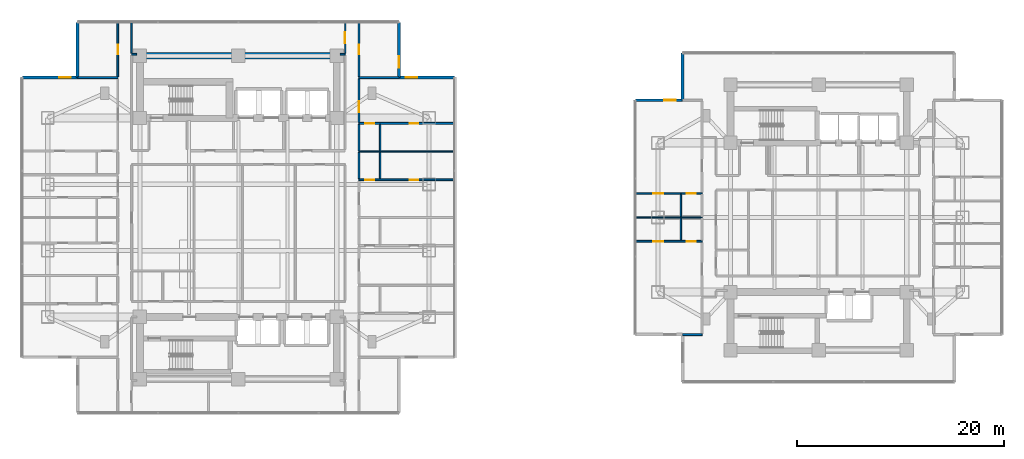
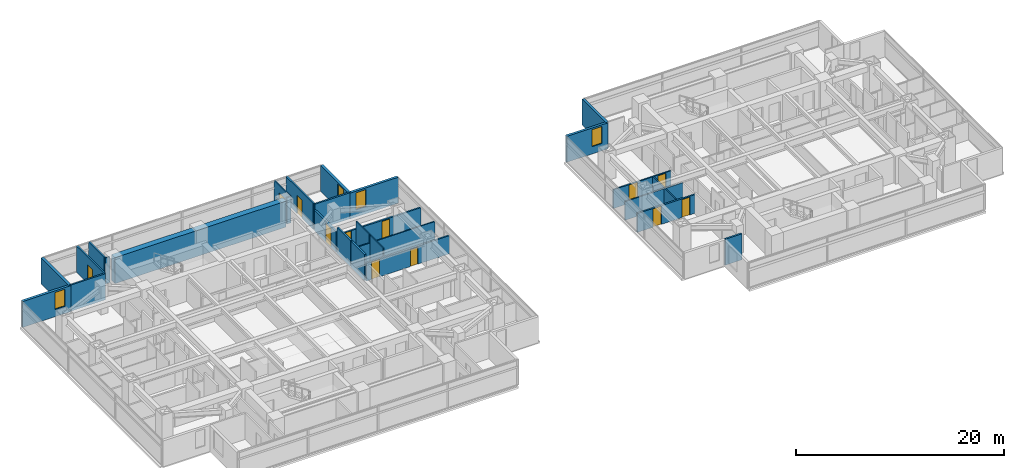
# One storey, part 16 of 27: 29 walls, 12 doors, 4 windows, 16 openings.
"""IFC4 building model written with IfcOpenShell, lengths in metres."""

from ifc_helpers import new_model, si_unit, direction, frame, frame_2d, origin, place, context, subcontext, project, spatial, rectangle, extrude, material, layer, layer_set, type_object, element, fill, save


model = new_model("IFC4")

# Units and contexts
model_context = context("Model", 3, precision=1e-05, world=origin(), true_north=direction((0.0, 1.0)))
body_context = subcontext(model_context, "Body", "Model", "MODEL_VIEW")
ifc_project = project(units=[si_unit("LENGTHUNIT", "METRE"), si_unit("AREAUNIT", "SQUARE_METRE"), si_unit("VOLUMEUNIT", "CUBIC_METRE"), si_unit("PLANEANGLEUNIT", "RADIAN"), si_unit("MASSUNIT", "GRAM", prefix="KILO")], contexts=[model_context])

# Site, building, storey
site_placement = place(None, origin())
site = spatial("IfcSite", under=ifc_project, at=site_placement, CompositionType="ELEMENT")
building_placement = place(site_placement, origin())
building = spatial("IfcBuilding", under=site, at=building_placement, Name="Mirazonda Arch Towers", CompositionType="ELEMENT")
storey_placement = place(building_placement, frame((0.0, 0.0, 55.39990234375)))
storey = spatial("IfcBuildingStorey", under=building, at=storey_placement, Name="L15", CompositionType="ELEMENT", Elevation=55.39990234375)

# Wall
ifc_material_1 = material(Name="Concrete C60/75", Category="concrete")
ifc_layer_1 = layer(ifc_material_1, 0.64990234375, Name="WALL-CORE-650")
ifc_layer_set_1 = layer_set([ifc_layer_1], Name="Concrete C60/75")
wall_type_1 = type_object("IfcWallType", Name="WALL-CORE-650", PredefinedType="SHEAR", material=ifc_layer_set_1)
wall_1_placement = place(storey_placement, frame((11.0, 43.60009765625, 0.0), z_axis=(0.0, 0.0, 1.0), x_axis=(1.0, 0.0, 0.0)))
element("IfcWall", 1, at=wall_1_placement, inside=storey, type_object=wall_type_1, Name="L15 T1N-N Core Shear Wall", PredefinedType="SHEAR", context=body_context, shape_type="SweptSolid", body=[
    extrude(rectangle(XDim=19.0, YDim=0.64990234375, at=frame_2d((9.5, 0.0))), origin(), (0.0, 0.0, 1.0), 3.06005859375),
])

# Wall, opening, window
ifc_material_2 = material(Name="Precast Concrete C40/50", Category="concrete")
ifc_layer_2 = layer(ifc_material_2, 0.280029296875, Name="WALL-EXT-WALL-280")
ifc_layer_set_2 = layer_set([ifc_layer_2], Name="Precast Concrete C40/50")
wall_type_2 = type_object("IfcWallType", Name="WALL-EXT-WALL-280", PredefinedType="SOLIDWALL", material=ifc_layer_set_2)
wall_2_placement = place(storey_placement, frame((36.02001953125, 41.498046875, 0.0), z_axis=(0.0, 0.0, 1.0), x_axis=(0.0, 1.0, 0.0)))
wall_2 = element("IfcWall", 2, at=wall_2_placement, inside=storey, type_object=wall_type_2, Name="L15 T1 Notched NE Corner Wall WL-L15-T1-CNE", PredefinedType="SOLIDWALL", context=body_context, shape_type="SweptSolid", body=[
    extrude(rectangle(XDim=5.33984375, YDim=0.280029296875, at=frame_2d((2.669921875, 0.0))), origin(), (0.0, 0.0, 1.0), 3.0400390625),
])
opening_1_placement = place(wall_2_placement, frame((0.949951171875, 0.0, 0.85009765625)))
opening_1 = element("IfcOpeningElement", 3, at=opening_1_placement, cuts=wall_2, Name="Opening WN-108", PredefinedType="OPENING", context=body_context, shape_type="SweptSolid", body=[
    extrude(rectangle(XDim=1.10009765625, YDim=2.0, at=frame_2d((0.550048828125, 1.0))), frame((0.0, 0.14990234375, 0.0), z_axis=(0.0, -1.0, 0.0), x_axis=(1.0, 0.0, 0.0)), (0.0, 0.0, 1.0), 0.300048828125),
])
ifc_material_3 = material(Name="Insulated Low-E Solar Glass", Category="glass")
window_type = type_object("IfcWindowType", Name="WIN-NOTCH-1100x2000", PartitioningType="SINGLE_PANEL", PredefinedType="WINDOW", material=ifc_material_3)
window_1_placement = place(opening_1_placement, origin())
window_1 = element("IfcWindow", 4, at=window_1_placement, inside=storey, type_object=window_type, Name="L15 Punched Facade Window WN-L15-T1-CNE", OverallHeight=2.0, OverallWidth=1.10009765625, PartitioningType="SINGLE_PANEL", PredefinedType="WINDOW", context=body_context, shape_type="SweptSolid", body=[
    extrude(rectangle(XDim=1.10009765625, YDim=2.0, at=frame_2d((0.550048828125, 1.0))), frame((0.0, 0.030029296875, 0.0), z_axis=(0.0, -1.0, 0.0), x_axis=(1.0, 0.0, 0.0)), (0.0, 0.0, 1.0), 0.06005859375),
])
fill(opening_1, window_1)

wall_3_placement = place(storey_placement, frame((4.97998046875, 41.498046875, 0.0), z_axis=(0.0, 0.0, 1.0), x_axis=(-1.0, 0.0, 0.0)))
wall_3 = element("IfcWall", 5, at=wall_3_placement, inside=storey, type_object=wall_type_2, Name="L15 T1 Corner Notch Return Wall WL-L15-T1-CNW1", PredefinedType="SOLIDWALL", context=body_context, shape_type="SweptSolid", body=[
    extrude(rectangle(XDim=5.340087890625, YDim=0.280029296875, at=frame_2d((2.669921875, 0.0))), origin(), (0.0, 0.0, 1.0), 3.0400390625),
])
opening_2_placement = place(wall_3_placement, frame((0.64990234375, 0.0, 0.85009765625)))
opening_2 = element("IfcOpeningElement", 6, at=opening_2_placement, cuts=wall_3, Name="Opening WN-108", PredefinedType="OPENING", context=body_context, shape_type="SweptSolid", body=[
    extrude(rectangle(XDim=1.10009765625, YDim=2.0, at=frame_2d((0.550048828125, 1.0))), frame((0.0, 0.14990234375, 0.0), z_axis=(0.0, -1.0, 0.0), x_axis=(1.0, 0.0, 0.0)), (0.0, 0.0, 1.0), 0.300048828125),
])
window_2_placement = place(opening_2_placement, origin())
window_2 = element("IfcWindow", 7, at=window_2_placement, inside=storey, type_object=window_type, Name="L15 Punched Facade Window WN-L15-T1-CNW1", OverallHeight=2.0, OverallWidth=1.10009765625, PartitioningType="SINGLE_PANEL", PredefinedType="WINDOW", context=body_context, shape_type="SweptSolid", body=[
    extrude(rectangle(XDim=1.10009765625, YDim=2.0, at=frame_2d((0.550048828125, 1.0))), frame((0.0, 0.030029296875, 0.0), z_axis=(0.0, -1.0, 0.0), x_axis=(1.0, 0.0, 0.0)), (0.0, 0.0, 1.0), 0.06005859375),
])
fill(opening_2, window_2)

# Wall
wall_4_placement = place(storey_placement, frame((4.97998046875, 46.837890625, 0.0), z_axis=(0.0, 0.0, 1.0), x_axis=(0.0, -1.0, 0.0)))
element("IfcWall", 8, at=wall_4_placement, inside=storey, type_object=wall_type_2, Name="L15 T1 Corner Notch Return Wall WL-L15-T1-CNW2", PredefinedType="SOLIDWALL", context=body_context, shape_type="SweptSolid", body=[
    extrude(rectangle(XDim=5.33984375, YDim=0.280029296875, at=frame_2d((2.669921875, 0.0))), origin(), (0.0, 0.0, 1.0), 3.0400390625),
])

# Wall, opening, window
wall_5_placement = place(storey_placement, frame((41.360107421875, 41.498046875, 0.0), z_axis=(0.0, 0.0, 1.0), x_axis=(-1.0, 0.0, 0.0)))
wall_5 = element("IfcWall", 9, at=wall_5_placement, inside=storey, type_object=wall_type_2, Name="L15 T1 Corner Notch Return Wall WL-L15-T1-CNE2", PredefinedType="SOLIDWALL", context=body_context, shape_type="SweptSolid", body=[
    extrude(rectangle(XDim=5.340087890625, YDim=0.280029296875, at=frame_2d((2.669921875, 0.0))), origin(), (0.0, 0.0, 1.0), 3.0400390625),
])
opening_3_placement = place(wall_5_placement, frame((3.590087890625, 0.0, 0.85009765625)))
opening_3 = element("IfcOpeningElement", 10, at=opening_3_placement, cuts=wall_5, Name="Opening WN-108", PredefinedType="OPENING", context=body_context, shape_type="SweptSolid", body=[
    extrude(rectangle(XDim=1.10009765625, YDim=2.0, at=frame_2d((0.550048828125, 1.0))), frame((0.0, 0.14990234375, 0.0), z_axis=(0.0, -1.0, 0.0), x_axis=(1.0, 0.0, 0.0)), (0.0, 0.0, 1.0), 0.300048828125),
])
window_3_placement = place(opening_3_placement, origin())
window_3 = element("IfcWindow", 11, at=window_3_placement, inside=storey, type_object=window_type, Name="L15 Punched Facade Window WN-L15-T1-CNE2", OverallHeight=2.0, OverallWidth=1.10009765625, PartitioningType="SINGLE_PANEL", PredefinedType="WINDOW", context=body_context, shape_type="SweptSolid", body=[
    extrude(rectangle(XDim=1.10009765625, YDim=2.0, at=frame_2d((0.550048828125, 1.0))), frame((0.0, 0.030029296875, 0.0), z_axis=(0.0, -1.0, 0.0), x_axis=(1.0, 0.0, 0.0)), (0.0, 0.0, 1.0), 0.06005859375),
])
fill(opening_3, window_3)

wall_6_placement = place(storey_placement, frame((63.367919921875, 39.313232421875, 0.0), z_axis=(0.0, 0.0, 1.0), x_axis=(-1.0, 0.0, 0.0)))
wall_6 = element("IfcWall", 12, at=wall_6_placement, inside=storey, type_object=wall_type_2, Name="L15 T2 Corner Notch Return Wall WL-L15-T2-CNW1", PredefinedType="SOLIDWALL", context=body_context, shape_type="SweptSolid", body=[
    extrude(rectangle(XDim=4.5458984375, YDim=0.280029296875, at=frame_2d((2.27294921875, 0.0))), origin(), (0.0, 0.0, 1.0), 3.0400390625),
])
opening_4_placement = place(wall_6_placement, frame((0.64990234375, 0.0, 0.85009765625)))
opening_4 = element("IfcOpeningElement", 13, at=opening_4_placement, cuts=wall_6, Name="Opening WN-108", PredefinedType="OPENING", context=body_context, shape_type="SweptSolid", body=[
    extrude(rectangle(XDim=1.10009765625, YDim=2.0, at=frame_2d((0.550048828125, 1.0))), frame((0.0, 0.14990234375, 0.0), z_axis=(0.0, -1.0, 0.0), x_axis=(1.0, 0.0, 0.0)), (0.0, 0.0, 1.0), 0.300048828125),
])
window_4_placement = place(opening_4_placement, origin())
window_4 = element("IfcWindow", 14, at=window_4_placement, inside=storey, type_object=window_type, Name="L15 Punched Facade Window WN-L15-T2-CNW1", OverallHeight=2.0, OverallWidth=1.10009765625, PartitioningType="SINGLE_PANEL", PredefinedType="WINDOW", context=body_context, shape_type="SweptSolid", body=[
    extrude(rectangle(XDim=1.10009765625, YDim=2.0, at=frame_2d((0.550048828125, 1.0))), frame((0.0, 0.030029296875, 0.0), z_axis=(0.0, -1.0, 0.0), x_axis=(1.0, 0.0, 0.0)), (0.0, 0.0, 1.0), 0.06005859375),
])
fill(opening_4, window_4)

# Wall
wall_7_placement = place(storey_placement, frame((63.367919921875, 43.859375, 0.0), z_axis=(0.0, 0.0, 1.0), x_axis=(0.0, -1.0, 0.0)))
element("IfcWall", 15, at=wall_7_placement, inside=storey, type_object=wall_type_2, Name="L15 T2 Corner Notch Return Wall WL-L15-T2-CNW2", PredefinedType="SOLIDWALL", context=body_context, shape_type="SweptSolid", body=[
    extrude(rectangle(XDim=4.546142578125, YDim=0.280029296875, at=frame_2d((2.27294921875, 0.0))), origin(), (0.0, 0.0, 1.0), 3.0400390625),
])

# Wall, openings, doors
ifc_material_4 = material(Name="Fire-Rated Gypsum Stud Partition")
ifc_layer_3 = layer(ifc_material_4, 0.14990234375, Name="WALL-PART-CORR-150")
ifc_layer_set_3 = layer_set([ifc_layer_3], Name="Fire-Rated Gypsum Stud Partition")
wall_type_3 = type_object("IfcWallType", Name="WALL-PART-CORR-150", PredefinedType="PARTITIONING", material=ifc_layer_set_3)
wall_8_placement = place(storey_placement, frame((58.822021484375, 30.300048828125, 0.0), z_axis=(0.0, 0.0, 1.0), x_axis=(1.0, 0.0, 0.0)))
wall_8 = element("IfcWall", 16, at=wall_8_placement, inside=storey, type_object=wall_type_3, Name="L15 Interior Partition 038", PredefinedType="PARTITIONING", context=body_context, shape_type="SweptSolid", body=[
    extrude(rectangle(XDim=6.427978515625, YDim=0.14990234375, at=frame_2d((3.2138671875, 0.0))), origin(), (0.0, 0.0, 1.0), 2.196044921875),
])
opening_5_placement = place(wall_8_placement, frame((1.739013671875, 0.0, 0.0)))
opening_5 = element("IfcOpeningElement", 17, at=opening_5_placement, cuts=wall_8, Name="Opening DR-104", PredefinedType="OPENING", context=body_context, shape_type="SweptSolid", body=[
    extrude(rectangle(XDim=0.949951171875, YDim=2.14990234375, at=frame_2d((0.47509765625, 1.074951171875))), frame((0.0, 0.0849609375, 0.0), z_axis=(0.0, -1.0, 0.0), x_axis=(1.0, 0.0, 0.0)), (0.0, 0.0, 1.0), 0.169921875),
])
opening_6_placement = place(wall_8_placement, frame((4.93798828125, 0.0, 0.0)))
opening_6 = element("IfcOpeningElement", 18, at=opening_6_placement, cuts=wall_8, Name="Opening DR-120", PredefinedType="OPENING", context=body_context, shape_type="SweptSolid", body=[
    extrude(rectangle(XDim=0.89990234375, YDim=2.10009765625, at=frame_2d((0.449951171875, 1.050048828125))), frame((0.0, 0.0849609375, 0.0), z_axis=(0.0, -1.0, 0.0), x_axis=(1.0, 0.0, 0.0)), (0.0, 0.0, 1.0), 0.169921875),
])
ifc_material_5 = material(Name="Architectural Brushed Steel S355", Category="steel")
door_type_1 = type_object("IfcDoorType", Name="DOOR-ROOM-950", OperationType="NOTDEFINED", PredefinedType="DOOR", material=ifc_material_5)
door_1_placement = place(opening_5_placement, origin())
door_1 = element("IfcDoor", 19, at=door_1_placement, inside=storey, type_object=door_type_1, Name="L15 Studio 2 Galley Kitchen Door", OperationType="SINGLE_SWING_LEFT", OverallHeight=2.14990234375, OverallWidth=0.949951171875, PredefinedType="DOOR", context=body_context, shape_type="SweptSolid", body=[
    extrude(rectangle(XDim=0.949951171875, YDim=2.14990234375, at=frame_2d((0.47509765625, 1.074951171875))), frame((0.0, 0.02490234375, 0.0), z_axis=(0.0, -1.0, 0.0), x_axis=(1.0, 0.0, 0.0)), (0.0, 0.0, 1.0), 0.050048828125),
])
fill(opening_5, door_1)
door_type_2 = type_object("IfcDoorType", Name="DOOR-WC-900", OperationType="NOTDEFINED", PredefinedType="DOOR", material=ifc_material_5)
door_2_placement = place(opening_6_placement, origin())
door_2 = element("IfcDoor", 20, at=door_2_placement, inside=storey, type_object=door_type_2, Name="L15 Studio 2 Bathroom Door", OperationType="SINGLE_SWING_RIGHT", OverallHeight=2.10009765625, OverallWidth=0.89990234375, PredefinedType="DOOR", context=body_context, shape_type="SweptSolid", body=[
    extrude(rectangle(XDim=0.89990234375, YDim=2.10009765625, at=frame_2d((0.449951171875, 1.050048828125))), frame((0.0, 0.02490234375, 0.0), z_axis=(0.0, -1.0, 0.0), x_axis=(1.0, 0.0, 0.0)), (0.0, 0.0, 1.0), 0.050048828125),
])
fill(opening_6, door_2)

# Walls
for number, where, z_axis, x_axis, name in (
    (21, (10.199951171875, 43.75, 0.0), (0.0, 0.0, 1.0), (1.0, 0.0, 0.0), "L15 Interior Partition 063"),
    (22, (30.320068359375, 43.75, 0.0), (0.0, 0.0, 1.0), (1.0, 0.0, 0.0), "L15 Interior Partition 064"),
):
    element("IfcWall", number, at=place(storey_placement, frame(where, z_axis=z_axis, x_axis=x_axis)), inside=storey, type_object=wall_type_3, Name=name, PredefinedType="PARTITIONING", context=body_context, shape_type="SweptSolid", body=[
        extrude(rectangle(XDim=0.47998046875, YDim=0.14990234375, at=frame_2d((0.239990234375, 0.0))), origin(), (0.0, 0.0, 1.0), 3.06005859375),
    ])
wall_9_placement = place(storey_placement, frame((10.199951171875, 43.8349609375, 0.0), z_axis=(0.0, 0.0, 1.0), x_axis=(0.0, 1.0, 0.0)))
element("IfcWall", 23, at=wall_9_placement, inside=storey, type_object=wall_type_3, Name="L15 Interior Partition 084", PredefinedType="PARTITIONING", context=body_context, shape_type="SweptSolid", body=[
    extrude(rectangle(XDim=3.0029296875, YDim=0.14990234375, at=frame_2d((1.50146484375, 0.0))), origin(), (0.0, 0.0, 1.0), 3.06005859375),
])

# Wall, opening, door
wall_10_placement = place(storey_placement, frame((30.800048828125, 43.8349609375, 0.0), z_axis=(0.0, 0.0, 1.0), x_axis=(0.0, 1.0, 0.0)))
wall_10 = element("IfcWall", 24, at=wall_10_placement, inside=storey, type_object=wall_type_3, Name="L15 Interior Partition 110", PredefinedType="PARTITIONING", context=body_context, shape_type="SweptSolid", body=[
    extrude(rectangle(XDim=3.0029296875, YDim=0.14990234375, at=frame_2d((1.50146484375, 0.0))), origin(), (0.0, 0.0, 1.0), 3.06005859375),
])
opening_7_placement = place(wall_10_placement, frame((0.9765625, 0.0, 0.0)))
opening_7 = element("IfcOpeningElement", 25, at=opening_7_placement, cuts=wall_10, Name="Opening DR-121", PredefinedType="OPENING", context=body_context, shape_type="SweptSolid", body=[
    extrude(rectangle(XDim=1.050048828125, YDim=2.199951171875, at=frame_2d((0.52490234375, 1.10009765625))), frame((0.0, 0.0849609375, 0.0), z_axis=(0.0, -1.0, 0.0), x_axis=(1.0, 0.0, 0.0)), (0.0, 0.0, 1.0), 0.169921875),
])
door_type_3 = type_object("IfcDoorType", Name="DOOR-SUITE-FD60-1050", OperationType="NOTDEFINED", PredefinedType="DOOR", material=ifc_material_5)
door_3_placement = place(opening_7_placement, origin())
door_3 = element("IfcDoor", 26, at=door_3_placement, inside=storey, type_object=door_type_3, Name="L15 North Reading Salon Suite Door", OperationType="SINGLE_SWING_RIGHT", OverallHeight=2.199951171875, OverallWidth=1.050048828125, PredefinedType="DOOR", context=body_context, shape_type="SweptSolid", body=[
    extrude(rectangle(XDim=1.050048828125, YDim=2.199951171875, at=frame_2d((0.52490234375, 1.10009765625))), frame((0.0, 0.02490234375, 0.0), z_axis=(0.0, -1.0, 0.0), x_axis=(1.0, 0.0, 0.0)), (0.0, 0.0, 1.0), 0.050048828125),
])
fill(opening_7, door_3)

# Wall
ifc_material_6 = material(Name="Fire-Rated Gypsum Twin-Stud Assembly")
ifc_layer_4 = layer(ifc_material_6, 0.179931640625, Name="WALL-PART-DEMISE-180")
ifc_layer_set_4 = layer_set([ifc_layer_4], Name="Fire-Rated Gypsum Twin-Stud Assembly")
wall_type_4 = type_object("IfcWallType", Name="WALL-PART-DEMISE-180", PredefinedType="PARTITIONING", material=ifc_layer_set_4)
wall_11_placement = place(storey_placement, frame((63.387939453125, 16.68701171875, 0.0), z_axis=(0.0, 0.0, 1.0), x_axis=(1.0, 0.0, 0.0)))
element("IfcWall", 27, at=wall_11_placement, inside=storey, type_object=wall_type_4, Name="L15 Interior Partition 009", PredefinedType="PARTITIONING", context=body_context, shape_type="SweptSolid", body=[
    extrude(rectangle(XDim=1.862060546875, YDim=0.179931640625, at=frame_2d((0.93115234375, 0.0))), origin(), (0.0, 0.0, 1.0), 3.06005859375),
])

# Wall, openings, doors
wall_12_placement = place(storey_placement, frame((58.822021484375, 25.699951171875, 0.0), z_axis=(0.0, 0.0, 1.0), x_axis=(1.0, 0.0, 0.0)))
wall_12 = element("IfcWall", 28, at=wall_12_placement, inside=storey, type_object=wall_type_4, Name="L15 Interior Partition 031", PredefinedType="PARTITIONING", context=body_context, shape_type="SweptSolid", body=[
    extrude(rectangle(XDim=6.427978515625, YDim=0.179931640625, at=frame_2d((3.2138671875, 0.0))), origin(), (0.0, 0.0, 1.0), 2.196044921875),
])
opening_8_placement = place(wall_12_placement, frame((1.739013671875, 0.0, 0.0)))
opening_8 = element("IfcOpeningElement", 29, at=opening_8_placement, cuts=wall_12, Name="Opening DR-104", PredefinedType="OPENING", context=body_context, shape_type="SweptSolid", body=[
    extrude(rectangle(XDim=0.949951171875, YDim=2.14990234375, at=frame_2d((0.47509765625, 1.074951171875))), frame((0.0, 0.099853515625, 0.0), z_axis=(0.0, -1.0, 0.0), x_axis=(1.0, 0.0, 0.0)), (0.0, 0.0, 1.0), 0.199951171875),
])
opening_9_placement = place(wall_12_placement, frame((4.93798828125, 0.0, 0.0)))
opening_9 = element("IfcOpeningElement", 30, at=opening_9_placement, cuts=wall_12, Name="Opening DR-120", PredefinedType="OPENING", context=body_context, shape_type="SweptSolid", body=[
    extrude(rectangle(XDim=0.89990234375, YDim=2.10009765625, at=frame_2d((0.449951171875, 1.050048828125))), frame((0.0, 0.099853515625, 0.0), z_axis=(0.0, -1.0, 0.0), x_axis=(1.0, 0.0, 0.0)), (0.0, 0.0, 1.0), 0.199951171875),
])
door_4_placement = place(opening_8_placement, origin())
door_4 = element("IfcDoor", 31, at=door_4_placement, inside=storey, type_object=door_type_1, Name="L15 Studio 1 Galley Kitchen Door", OperationType="SINGLE_SWING_RIGHT", OverallHeight=2.14990234375, OverallWidth=0.949951171875, PredefinedType="DOOR", context=body_context, shape_type="SweptSolid", body=[
    extrude(rectangle(XDim=0.949951171875, YDim=2.14990234375, at=frame_2d((0.47509765625, 1.074951171875))), frame((0.0, 0.02490234375, 0.0), z_axis=(0.0, -1.0, 0.0), x_axis=(1.0, 0.0, 0.0)), (0.0, 0.0, 1.0), 0.050048828125),
])
fill(opening_8, door_4)
door_5_placement = place(opening_9_placement, origin())
door_5 = element("IfcDoor", 32, at=door_5_placement, inside=storey, type_object=door_type_2, Name="L15 Studio 1 Bathroom Door", OperationType="SINGLE_SWING_LEFT", OverallHeight=2.10009765625, OverallWidth=0.89990234375, PredefinedType="DOOR", context=body_context, shape_type="SweptSolid", body=[
    extrude(rectangle(XDim=0.89990234375, YDim=2.10009765625, at=frame_2d((0.449951171875, 1.050048828125))), frame((0.0, 0.02490234375, 0.0), z_axis=(0.0, -1.0, 0.0), x_axis=(1.0, 0.0, 0.0)), (0.0, 0.0, 1.0), 0.050048828125),
])
fill(opening_9, door_5)

wall_13_placement = place(storey_placement, frame((32.139892578125, 31.636962890625, 0.0), z_axis=(0.0, 0.0, 1.0), x_axis=(1.0, 0.0, 0.0)))
wall_13 = element("IfcWall", 33, at=wall_13_placement, inside=storey, type_object=wall_type_4, Name="L15 Interior Partition 040", PredefinedType="PARTITIONING", context=body_context, shape_type="SweptSolid", body=[
    extrude(rectangle(XDim=9.22021484375, YDim=0.179931640625, at=frame_2d((4.610107421875, 0.0))), origin(), (0.0, 0.0, 1.0), 2.125),
])
opening_10_placement = place(wall_13_placement, frame((4.885009765625, 0.0, 0.0)))
opening_10 = element("IfcOpeningElement", 34, at=opening_10_placement, cuts=wall_13, Name="Opening DR-128", PredefinedType="OPENING", context=body_context, shape_type="SweptSolid", body=[
    extrude(rectangle(XDim=0.85009765625, YDim=2.010009765625, at=frame_2d((0.425048828125, 1.0048828125))), frame((0.0, 0.099853515625, 0.0), z_axis=(0.0, -1.0, 0.0), x_axis=(1.0, 0.0, 0.0)), (0.0, 0.0, 1.0), 0.199951171875),
])
opening_11_placement = place(wall_13_placement, frame((0.590087890625, 0.0, 0.0)))
opening_11 = element("IfcOpeningElement", 35, at=opening_11_placement, cuts=wall_13, Name="Opening DR-120", PredefinedType="OPENING", context=body_context, shape_type="SweptSolid", body=[
    extrude(rectangle(XDim=0.89990234375, YDim=2.10009765625, at=frame_2d((0.449951171875, 1.050048828125))), frame((0.0, 0.099853515625, 0.0), z_axis=(0.0, -1.0, 0.0), x_axis=(1.0, 0.0, 0.0)), (0.0, 0.0, 1.0), 0.199951171875),
])
door_type_4 = type_object("IfcDoorType", Name="DOOR-RISER-FD60-850", OperationType="NOTDEFINED", PredefinedType="DOOR", material=ifc_material_5)
door_6_placement = place(opening_10_placement, origin())
door_6 = element("IfcDoor", 36, at=door_6_placement, inside=storey, type_object=door_type_4, Name="L15 Guestroom Study 3 Door", OperationType="SINGLE_SWING_RIGHT", OverallHeight=2.010009765625, OverallWidth=0.85009765625, PredefinedType="DOOR", context=body_context, shape_type="SweptSolid", body=[
    extrude(rectangle(XDim=0.85009765625, YDim=2.010009765625, at=frame_2d((0.425048828125, 1.0048828125))), frame((0.0, 0.02490234375, 0.0), z_axis=(0.0, -1.0, 0.0), x_axis=(1.0, 0.0, 0.0)), (0.0, 0.0, 1.0), 0.050048828125),
])
fill(opening_10, door_6)
door_7_placement = place(opening_11_placement, origin())
door_7 = element("IfcDoor", 37, at=door_7_placement, inside=storey, type_object=door_type_2, Name="L15 En-Suite Bathroom 3 Door", OperationType="SINGLE_SWING_LEFT", OverallHeight=2.10009765625, OverallWidth=0.89990234375, PredefinedType="DOOR", context=body_context, shape_type="SweptSolid", body=[
    extrude(rectangle(XDim=0.89990234375, YDim=2.10009765625, at=frame_2d((0.449951171875, 1.050048828125))), frame((0.0, 0.02490234375, 0.0), z_axis=(0.0, -1.0, 0.0), x_axis=(1.0, 0.0, 0.0)), (0.0, 0.0, 1.0), 0.050048828125),
])
fill(opening_11, door_7)

wall_14_placement = place(storey_placement, frame((32.139892578125, 37.076904296875, 0.0), z_axis=(0.0, 0.0, 1.0), x_axis=(1.0, 0.0, 0.0)))
wall_14 = element("IfcWall", 38, at=wall_14_placement, inside=storey, type_object=wall_type_4, Name="L15 Interior Partition 053", PredefinedType="PARTITIONING", context=body_context, shape_type="SweptSolid", body=[
    extrude(rectangle(XDim=9.22021484375, YDim=0.179931640625, at=frame_2d((4.610107421875, 0.0))), origin(), (0.0, 0.0, 1.0), 2.125),
])
opening_12_placement = place(wall_14_placement, frame((4.885009765625, 0.0, 0.0)))
opening_12 = element("IfcOpeningElement", 39, at=opening_12_placement, cuts=wall_14, Name="Opening DR-128", PredefinedType="OPENING", context=body_context, shape_type="SweptSolid", body=[
    extrude(rectangle(XDim=0.85009765625, YDim=2.010009765625, at=frame_2d((0.425048828125, 1.0048828125))), frame((0.0, 0.099853515625, 0.0), z_axis=(0.0, -1.0, 0.0), x_axis=(1.0, 0.0, 0.0)), (0.0, 0.0, 1.0), 0.199951171875),
])
opening_13_placement = place(wall_14_placement, frame((0.590087890625, 0.0, 0.0)))
opening_13 = element("IfcOpeningElement", 40, at=opening_13_placement, cuts=wall_14, Name="Opening DR-120", PredefinedType="OPENING", context=body_context, shape_type="SweptSolid", body=[
    extrude(rectangle(XDim=0.89990234375, YDim=2.10009765625, at=frame_2d((0.449951171875, 1.050048828125))), frame((0.0, 0.099853515625, 0.0), z_axis=(0.0, -1.0, 0.0), x_axis=(1.0, 0.0, 0.0)), (0.0, 0.0, 1.0), 0.199951171875),
])
door_8_placement = place(opening_12_placement, origin())
door_8 = element("IfcDoor", 41, at=door_8_placement, inside=storey, type_object=door_type_4, Name="L15 Guestroom Study 4 Door", OperationType="SINGLE_SWING_LEFT", OverallHeight=2.010009765625, OverallWidth=0.85009765625, PredefinedType="DOOR", context=body_context, shape_type="SweptSolid", body=[
    extrude(rectangle(XDim=0.85009765625, YDim=2.010009765625, at=frame_2d((0.425048828125, 1.0048828125))), frame((0.0, 0.02490234375, 0.0), z_axis=(0.0, -1.0, 0.0), x_axis=(1.0, 0.0, 0.0)), (0.0, 0.0, 1.0), 0.050048828125),
])
fill(opening_12, door_8)
door_9_placement = place(opening_13_placement, origin())
door_9 = element("IfcDoor", 42, at=door_9_placement, inside=storey, type_object=door_type_2, Name="L15 En-Suite Bathroom 4 Door", OperationType="SINGLE_SWING_RIGHT", OverallHeight=2.10009765625, OverallWidth=0.89990234375, PredefinedType="DOOR", context=body_context, shape_type="SweptSolid", body=[
    extrude(rectangle(XDim=0.89990234375, YDim=2.10009765625, at=frame_2d((0.449951171875, 1.050048828125))), frame((0.0, 0.02490234375, 0.0), z_axis=(0.0, -1.0, 0.0), x_axis=(1.0, 0.0, 0.0)), (0.0, 0.0, 1.0), 0.050048828125),
])
fill(opening_13, door_9)

# Walls
for number, where, z_axis, x_axis, name in (
    (43, (5.0, 41.498046875, 0.0), (0.0, 0.0, 1.0), (1.0, 0.0, 0.0), "L15 Interior Partition 061"),
    (44, (32.139892578125, 41.498046875, 0.0), (0.0, 0.0, 1.0), (1.0, 0.0, 0.0), "L15 Interior Partition 062"),
):
    element("IfcWall", number, at=place(storey_placement, frame(where, z_axis=z_axis, x_axis=x_axis)), inside=storey, type_object=wall_type_4, Name=name, PredefinedType="PARTITIONING", context=body_context, shape_type="SweptSolid", body=[
        extrude(rectangle(XDim=3.860107421875, YDim=0.179931640625, at=frame_2d((1.93017578125, 0.0))), origin(), (0.0, 0.0, 1.0), 3.06005859375),
    ])

# Wall, opening, door
wall_15_placement = place(storey_placement, frame((8.860107421875, 41.597900390625, 0.0), z_axis=(0.0, 0.0, 1.0), x_axis=(0.0, 1.0, 0.0)))
wall_15 = element("IfcWall", 45, at=wall_15_placement, inside=storey, type_object=wall_type_4, Name="L15 Interior Partition 078", PredefinedType="PARTITIONING", context=body_context, shape_type="SweptSolid", body=[
    extrude(rectangle(XDim=5.239990234375, YDim=0.179931640625, at=frame_2d((2.6201171875, 0.0))), origin(), (0.0, 0.0, 1.0), 3.06005859375),
])
opening_14_placement = place(wall_15_placement, frame((2.14501953125, 0.0, 0.0)))
opening_14 = element("IfcOpeningElement", 46, at=opening_14_placement, cuts=wall_15, Name="Opening DR-104", PredefinedType="OPENING", context=body_context, shape_type="SweptSolid", body=[
    extrude(rectangle(XDim=0.949951171875, YDim=2.14990234375, at=frame_2d((0.47509765625, 1.074951171875))), frame((0.0, 0.099853515625, 0.0), z_axis=(0.0, -1.0, 0.0), x_axis=(1.0, 0.0, 0.0)), (0.0, 0.0, 1.0), 0.199951171875),
])
door_10_placement = place(opening_14_placement, origin())
door_10 = element("IfcDoor", 47, at=door_10_placement, inside=storey, type_object=door_type_1, Name="L15 North Reading Salon Alcove West Door", OperationType="SINGLE_SWING_LEFT", OverallHeight=2.14990234375, OverallWidth=0.949951171875, PredefinedType="DOOR", context=body_context, shape_type="SweptSolid", body=[
    extrude(rectangle(XDim=0.949951171875, YDim=2.14990234375, at=frame_2d((0.47509765625, 1.074951171875))), frame((0.0, 0.02490234375, 0.0), z_axis=(0.0, -1.0, 0.0), x_axis=(1.0, 0.0, 0.0)), (0.0, 0.0, 1.0), 0.050048828125),
])
fill(opening_14, door_10)

# Walls
wall_16_placement = place(storey_placement, frame((32.139892578125, 31.737060546875, 0.0), z_axis=(0.0, 0.0, 1.0), x_axis=(0.0, 1.0, 0.0)))
element("IfcWall", 48, at=wall_16_placement, inside=storey, type_object=wall_type_4, Name="L15 Interior Partition 117", PredefinedType="PARTITIONING", context=body_context, shape_type="SweptSolid", body=[
    extrude(rectangle(XDim=2.54736328125, YDim=0.179931640625, at=frame_2d((1.273681640625, 0.0))), origin(), (0.0, 0.0, 1.0), 3.06005859375),
])
wall_17_placement = place(storey_placement, frame((32.139892578125, 34.429443359375, 0.0), z_axis=(0.0, 0.0, 1.0), x_axis=(0.0, 1.0, 0.0)))
element("IfcWall", 49, at=wall_17_placement, inside=storey, type_object=wall_type_4, Name="L15 Interior Partition 118", PredefinedType="PARTITIONING", context=body_context, shape_type="SweptSolid", body=[
    extrude(rectangle(XDim=2.547607421875, YDim=0.179931640625, at=frame_2d((1.27392578125, 0.0))), origin(), (0.0, 0.0, 1.0), 3.06005859375),
])

# Wall, opening, door
wall_18_placement = place(storey_placement, frame((32.139892578125, 37.177001953125, 0.0), z_axis=(0.0, 0.0, 1.0), x_axis=(0.0, 1.0, 0.0)))
wall_18 = element("IfcWall", 50, at=wall_18_placement, inside=storey, type_object=wall_type_4, Name="L15 Interior Partition 119", PredefinedType="PARTITIONING", context=body_context, shape_type="SweptSolid", body=[
    extrude(rectangle(XDim=4.220947265625, YDim=0.179931640625, at=frame_2d((2.1103515625, 0.0))), origin(), (0.0, 0.0, 1.0), 2.43603515625),
])
opening_15_placement = place(wall_18_placement, frame((0.985595703125, 0.0, 0.0)))
opening_15 = element("IfcOpeningElement", 51, at=opening_15_placement, cuts=wall_18, Name="Opening DR-121", PredefinedType="OPENING", context=body_context, shape_type="SweptSolid", body=[
    extrude(rectangle(XDim=1.050048828125, YDim=2.199951171875, at=frame_2d((0.52490234375, 1.10009765625))), frame((0.0, 0.099853515625, 0.0), z_axis=(0.0, -1.0, 0.0), x_axis=(1.0, 0.0, 0.0)), (0.0, 0.0, 1.0), 0.199951171875),
])
door_11_placement = place(opening_15_placement, origin())
door_11 = element("IfcDoor", 52, at=door_11_placement, inside=storey, type_object=door_type_3, Name="L15 Twin Hotel Guestroom 4 Door", OperationType="SINGLE_SWING_RIGHT", OverallHeight=2.199951171875, OverallWidth=1.050048828125, PredefinedType="DOOR", context=body_context, shape_type="SweptSolid", body=[
    extrude(rectangle(XDim=1.050048828125, YDim=2.199951171875, at=frame_2d((0.52490234375, 1.10009765625))), frame((0.0, 0.02490234375, 0.0), z_axis=(0.0, -1.0, 0.0), x_axis=(1.0, 0.0, 0.0)), (0.0, 0.0, 1.0), 0.050048828125),
])
fill(opening_15, door_11)

wall_19_placement = place(storey_placement, frame((32.139892578125, 41.597900390625, 0.0), z_axis=(0.0, 0.0, 1.0), x_axis=(0.0, 1.0, 0.0)))
wall_19 = element("IfcWall", 53, at=wall_19_placement, inside=storey, type_object=wall_type_4, Name="L15 Interior Partition 120", PredefinedType="PARTITIONING", context=body_context, shape_type="SweptSolid", body=[
    extrude(rectangle(XDim=5.239990234375, YDim=0.179931640625, at=frame_2d((2.6201171875, 0.0))), origin(), (0.0, 0.0, 1.0), 3.06005859375),
])
opening_16_placement = place(wall_19_placement, frame((2.14501953125, 0.0, 0.0)))
opening_16 = element("IfcOpeningElement", 54, at=opening_16_placement, cuts=wall_19, Name="Opening DR-104", PredefinedType="OPENING", context=body_context, shape_type="SweptSolid", body=[
    extrude(rectangle(XDim=0.949951171875, YDim=2.14990234375, at=frame_2d((0.47509765625, 1.074951171875))), frame((0.0, 0.099853515625, 0.0), z_axis=(0.0, -1.0, 0.0), x_axis=(1.0, 0.0, 0.0)), (0.0, 0.0, 1.0), 0.199951171875),
])
door_12_placement = place(opening_16_placement, origin())
door_12 = element("IfcDoor", 55, at=door_12_placement, inside=storey, type_object=door_type_1, Name="L15 North Reading Salon Alcove East Door", OperationType="SINGLE_SWING_RIGHT", OverallHeight=2.14990234375, OverallWidth=0.949951171875, PredefinedType="DOOR", context=body_context, shape_type="SweptSolid", body=[
    extrude(rectangle(XDim=0.949951171875, YDim=2.14990234375, at=frame_2d((0.47509765625, 1.074951171875))), frame((0.0, 0.02490234375, 0.0), z_axis=(0.0, -1.0, 0.0), x_axis=(1.0, 0.0, 0.0)), (0.0, 0.0, 1.0), 0.050048828125),
])
fill(opening_16, door_12)

# Walls
ifc_material_7 = material(Name="Acoustic Fire-Rated Gypsum Partition")
ifc_layer_5 = layer(ifc_material_7, 0.125, Name="WALL-PART-UNIT-125")
ifc_layer_set_5 = layer_set([ifc_layer_5], Name="Acoustic Fire-Rated Gypsum Partition")
wall_type_5 = type_object("IfcWallType", Name="WALL-PART-UNIT-125", PredefinedType="PARTITIONING", material=ifc_layer_set_5)
wall_20_placement = place(storey_placement, frame((58.822021484375, 28.0, 0.0), z_axis=(0.0, 0.0, 1.0), x_axis=(1.0, 0.0, 0.0)))
element("IfcWall", 56, at=wall_20_placement, inside=storey, type_object=wall_type_5, Name="L15 Interior Partition 035", PredefinedType="PARTITIONING", context=body_context, shape_type="SweptSolid", body=[
    extrude(rectangle(XDim=6.427978515625, YDim=0.125, at=frame_2d((3.2138671875, 0.0))), origin(), (0.0, 0.0, 1.0), 2.196044921875),
])
wall_21_placement = place(storey_placement, frame((32.139892578125, 34.35693359375, 0.0), z_axis=(0.0, 0.0, 1.0), x_axis=(1.0, 0.0, 0.0)))
element("IfcWall", 57, at=wall_21_placement, inside=storey, type_object=wall_type_5, Name="L15 Interior Partition 047", PredefinedType="PARTITIONING", context=body_context, shape_type="SweptSolid", body=[
    extrude(rectangle(XDim=9.22021484375, YDim=0.125, at=frame_2d((4.610107421875, 0.0))), origin(), (0.0, 0.0, 1.0), 2.125),
])
wall_22_placement = place(storey_placement, frame((34.179931640625, 31.737060546875, 0.0), z_axis=(0.0, 0.0, 1.0), x_axis=(0.0, 1.0, 0.0)))
element("IfcWall", 58, at=wall_22_placement, inside=storey, type_object=wall_type_5, Name="L15 Interior Partition 123", PredefinedType="PARTITIONING", context=body_context, shape_type="SweptSolid", body=[
    extrude(rectangle(XDim=2.54736328125, YDim=0.125, at=frame_2d((1.273681640625, 0.0))), origin(), (0.0, 0.0, 1.0), 3.06005859375),
])
wall_23_placement = place(storey_placement, frame((34.179931640625, 34.429443359375, 0.0), z_axis=(0.0, 0.0, 1.0), x_axis=(0.0, 1.0, 0.0)))
element("IfcWall", 59, at=wall_23_placement, inside=storey, type_object=wall_type_5, Name="L15 Interior Partition 124", PredefinedType="PARTITIONING", context=body_context, shape_type="SweptSolid", body=[
    extrude(rectangle(XDim=2.547607421875, YDim=0.125, at=frame_2d((1.27392578125, 0.0))), origin(), (0.0, 0.0, 1.0), 3.06005859375),
])
wall_24_placement = place(storey_placement, frame((63.2099609375, 25.800048828125, 0.0), z_axis=(0.0, 0.0, 1.0), x_axis=(0.0, 1.0, 0.0)))
element("IfcWall", 60, at=wall_24_placement, inside=storey, type_object=wall_type_5, Name="L15 Interior Partition 125", PredefinedType="PARTITIONING", context=body_context, shape_type="SweptSolid", body=[
    extrude(rectangle(XDim=2.12744140625, YDim=0.125, at=frame_2d((1.063720703125, 0.0))), origin(), (0.0, 0.0, 1.0), 2.279052734375),
])
wall_25_placement = place(storey_placement, frame((63.2099609375, 28.072509765625, 0.0), z_axis=(0.0, 0.0, 1.0), x_axis=(0.0, 1.0, 0.0)))
element("IfcWall", 61, at=wall_25_placement, inside=storey, type_object=wall_type_5, Name="L15 Interior Partition 126", PredefinedType="PARTITIONING", context=body_context, shape_type="SweptSolid", body=[
    extrude(rectangle(XDim=2.142578125, YDim=0.125, at=frame_2d((1.0712890625, 0.0))), origin(), (0.0, 0.0, 1.0), 2.279052734375),
])

save(model, "model.ifc")
